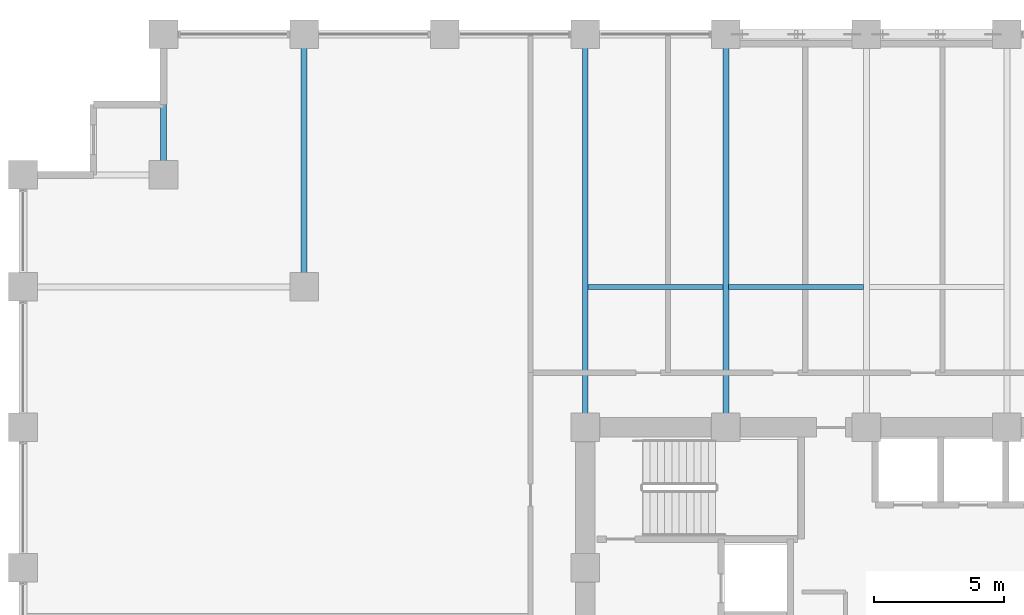
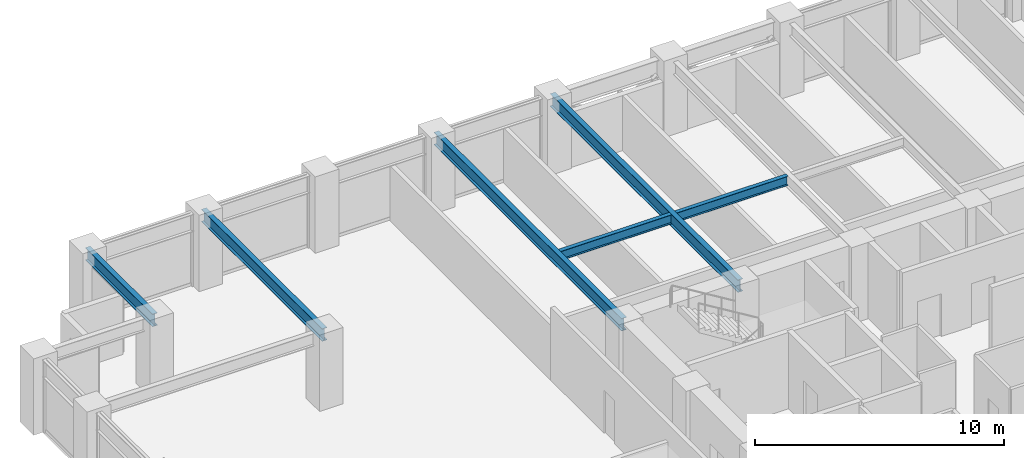
# One storey, part 11 of 25: 6 beams.
"""IFC4 building model written with IfcOpenShell, lengths in metres."""

import ifcopenshell
import ifcopenshell.guid

model = None  # the IFC model being written
_history = None  # IfcOwnerHistory: only IFC2X3 demands one
_inside = {}  # id of a spatial element -> (the spatial element, [elements in it])
_under = {}  # id of a project, library or spatial element -> (it, [spatial elements below it])
_declared = {}  # id of a project -> (the project, [libraries it declares])
_typed = {}  # id of a type object -> (the type object, [elements of that type])
_made_of = {}  # id of a material, layer set ... -> (it, [elements and type objects made of it])


def new_model(schema):
    """Start an empty IFC model of exactly this schema.

    Asked for "IFC4X3", IfcOpenShell would pick the latest addendum, in which some entities
    have other attributes; the version numbers below select the first issue.
    IFC2X3 requires an IfcOwnerHistory on every rooted entity: one is made here for all.
    """
    global model, _history
    if schema == "IFC4X3":
        model = ifcopenshell.file(schema_version=(4, 3, 0, 0))
    else:
        model = ifcopenshell.file(schema=schema)
    _inside.clear()
    _under.clear()
    _declared.clear()
    _typed.clear()
    _made_of.clear()
    _history = None
    if model.schema == "IFC2X3":
        org = make("IfcOrganization", Name="unknown")
        user = make(
            "IfcPersonAndOrganization",
            ThePerson=make("IfcPerson", FamilyName="unknown"),
            TheOrganization=org,
        )
        app = make(
            "IfcApplication",
            ApplicationDeveloper=org,
            Version="unknown",
            ApplicationFullName="unknown",
            ApplicationIdentifier="unknown",
        )
        _history = make(
            "IfcOwnerHistory",
            OwningUser=user,
            OwningApplication=app,
            ChangeAction="ADDED",
            CreationDate=0,
        )
    return model


def make(cls, **values):
    """One entity of the class cls with the attributes given. An attribute that is None is left unset."""
    return model.create_entity(
        cls, **{name: value for name, value in values.items() if value is not None}
    )


def rooted(cls, **values):
    """An entity with a GlobalId (a new one), such as an element, a storey or a relation."""
    return make(cls, GlobalId=ifcopenshell.guid.new(), OwnerHistory=_history, **values)


def si_unit(unit_type, name, prefix=None):
    """IfcSIUnit, for example si_unit("LENGTHUNIT", "METRE", prefix="MILLI")."""
    return make("IfcSIUnit", UnitType=unit_type, Prefix=prefix, Name=name)


def assignment(units):
    """IfcUnitAssignment: the units of a project."""
    return None if units is None else make("IfcUnitAssignment", Units=units)


def point(xyz):
    """IfcCartesianPoint."""
    return None if xyz is None else make("IfcCartesianPoint", Coordinates=xyz)


def direction(xyz):
    """IfcDirection."""
    return None if xyz is None else make("IfcDirection", DirectionRatios=xyz)


def frame(location, z_axis=None, x_axis=None):
    """IfcAxis2Placement3D, a coordinate frame: its origin and axes. An axis left out is left unset."""
    return make(
        "IfcAxis2Placement3D",
        Location=point(location),
        Axis=direction(z_axis),
        RefDirection=direction(x_axis),
    )


def frame_2d(location, x_axis=None):
    """IfcAxis2Placement2D, a coordinate frame in the plane: its origin and x axis."""
    return make(
        "IfcAxis2Placement2D", Location=point(location), RefDirection=direction(x_axis)
    )


def origin():
    """The frame at (0, 0, 0) with its axes left unset."""
    return frame((0.0, 0.0, 0.0))


def origin_2d():
    """The frame at (0, 0) in the plane with its x axis left unset."""
    return frame_2d((0.0, 0.0))


def place(relative_to, where):
    """IfcLocalPlacement: puts the frame where relative to a parent placement (None: the world)."""
    return make(
        "IfcLocalPlacement", PlacementRelTo=relative_to, RelativePlacement=where
    )


def context(
    kind, dimensions, precision=None, world=None, true_north=None, identifier=None
):
    """IfcGeometricRepresentationContext, for example the 3D "Model" context."""
    return make(
        "IfcGeometricRepresentationContext",
        ContextIdentifier=identifier,
        ContextType=kind,
        CoordinateSpaceDimension=dimensions,
        Precision=precision,
        WorldCoordinateSystem=world,
        TrueNorth=true_north,
    )


def subcontext(parent, identifier, kind, view, scale=None):
    """IfcGeometricRepresentationSubContext, for example "Body" below "Model"."""
    return make(
        "IfcGeometricRepresentationSubContext",
        ContextIdentifier=identifier,
        ContextType=kind,
        ParentContext=parent,
        TargetScale=scale,
        TargetView=view,
    )


def project(units=None, contexts=None):
    """IfcProject with its units and contexts."""
    return rooted(
        "IfcProject",
        Name="project",
        RepresentationContexts=contexts,
        UnitsInContext=assignment(units),
    )


def spatial(cls, under=None, at=None, **own):
    """A site, building, storey or space (cls), placed at a placement, below another one or the project."""
    s = rooted(cls, ObjectPlacement=at, **own)
    if under is not None:
        _under.setdefault(under.id(), (under, []))[1].append(s)
    return s


def profile(cls, at=None, kind="AREA", **sizes):
    """A parametric profile (cls). Its sizes go by their IFC names, for example OverallWidth=200.0."""
    return make(cls, ProfileType=kind, Position=at, **sizes)


def i_section(**sizes):
    """IfcIShapeProfileDef."""
    return profile("IfcIShapeProfileDef", **sizes)


def extrude(swept, where, along, depth):
    """IfcExtrudedAreaSolid: the profile swept, set in the frame where, extruded along a direction by depth."""
    return make(
        "IfcExtrudedAreaSolid",
        SweptArea=swept,
        Position=where,
        ExtrudedDirection=direction(along),
        Depth=depth,
    )


def shape(context_of_items, identifier, shape_type, items):
    """IfcShapeRepresentation: the items that make up one representation, for example the "Body"."""
    return make(
        "IfcShapeRepresentation",
        ContextOfItems=context_of_items,
        RepresentationIdentifier=identifier,
        RepresentationType=shape_type,
        Items=items,
    )


def material(Name=None, Category=None):
    """IfcMaterial."""
    return make("IfcMaterial", Name=Name, Category=Category)


def material_profile(
    of_material, cross_section, Name=None, Category=None, Priority=None
):
    """IfcMaterialProfile: a cross section and its material."""
    return make(
        "IfcMaterialProfile",
        Name=Name,
        Material=of_material,
        Profile=cross_section,
        Priority=Priority,
        Category=Category,
    )


def profile_set(profiles, Name=None, composite=None):
    """IfcMaterialProfileSet."""
    return make(
        "IfcMaterialProfileSet",
        Name=Name,
        MaterialProfiles=profiles,
        CompositeProfile=composite,
    )


def made_of(thing, what):
    """Note that an element or type object is made of a material, layer set ...; save() writes the relation."""
    if what is not None:
        _made_of.setdefault(what.id(), (what, []))[1].append(thing)
    return thing


def type_object(cls, material=None, **own):
    """A type object (cls), such as IfcWallType, which elements share."""
    return made_of(rooted(cls, **own), material)


def element(
    cls,
    number,
    at=None,
    inside=None,
    cuts=None,
    type_object=None,
    material=None,
    context=None,
    identifier="Body",
    shape_type=None,
    held_by="IfcProductDefinitionShape",
    body=None,
    shapes=None,
    **own,
):
    """One element of the class cls, such as IfcWall. Its Tag is "e" and its number.

    at: its placement. inside: the storey or other place that contains it. cuts: it is an
    opening in that element (IfcRelVoidsElement). A single representation is given by context,
    identifier, shape_type and body (its items); several are given by shapes. held_by: the class
    of the entity that holds the representations. save() writes the other relations.
    """
    e = rooted(cls, Tag="e%d" % number, ObjectPlacement=at, **own)
    if body is not None:
        shapes = [shape(context, identifier, shape_type, body)]
    if shapes is not None:
        e.Representation = make(held_by, Representations=shapes)
    if inside is not None:
        _inside.setdefault(inside.id(), (inside, []))[1].append(e)
    if cuts is not None:
        rooted(
            "IfcRelVoidsElement", RelatingBuildingElement=cuts, RelatedOpeningElement=e
        )
    if type_object is not None:
        _typed.setdefault(type_object.id(), (type_object, []))[1].append(e)
    return made_of(e, material)


def aggregate(whole, parts):
    """IfcRelAggregates: a whole, such as a stair, and the parts it consists of."""
    return rooted("IfcRelAggregates", RelatingObject=whole, RelatedObjects=parts)


def save(model, path):
    """Write the relations noted so far, then the file.

    IfcRelAggregates (storeys below a building ...), IfcRelContainedInSpatialStructure (elements
    in a storey), IfcRelDefinesByType, IfcRelAssociatesMaterial and IfcRelDeclares: one each for
    every whole, place, type object, material and project.
    """
    for whole, parts in _under.values():
        aggregate(whole, parts)
    for where, things in _inside.values():
        rooted(
            "IfcRelContainedInSpatialStructure",
            RelatedElements=things,
            RelatingStructure=where,
        )
    for kind, things in _typed.values():
        rooted("IfcRelDefinesByType", RelatedObjects=things, RelatingType=kind)
    for what, things in _made_of.values():
        rooted("IfcRelAssociatesMaterial", RelatedObjects=things, RelatingMaterial=what)
    for by, libraries in _declared.values():
        rooted("IfcRelDeclares", RelatingContext=by, RelatedDefinitions=libraries)
    model.write(path)


model = new_model("IFC4")

# Units and contexts
model_context = context("Model", 3, precision=1e-05, world=origin(), true_north=direction((0.0, 1.0)))
body_context = subcontext(model_context, "Body", "Model", "MODEL_VIEW")
ifc_project = project(units=[si_unit("LENGTHUNIT", "METRE"), si_unit("AREAUNIT", "SQUARE_METRE"), si_unit("VOLUMEUNIT", "CUBIC_METRE"), si_unit("PLANEANGLEUNIT", "RADIAN"), si_unit("MASSUNIT", "GRAM", prefix="KILO")], contexts=[model_context])

# Site, building, storey
site_placement = place(None, origin())
site = spatial("IfcSite", under=ifc_project, at=site_placement, CompositionType="ELEMENT")
building_placement = place(site_placement, origin())
building = spatial("IfcBuilding", under=site, at=building_placement, Name="Surkhivell Harbour Commons", CompositionType="ELEMENT")
storey_placement = place(building_placement, frame((0.0, 0.0, 120.75)))
storey = spatial("IfcBuildingStorey", under=building, at=storey_placement, Name="L31", CompositionType="ELEMENT", Elevation=120.75)

# Beams
ifc_material = material(Name="Steel S355", Category="steel")
ifc_material_profile_1 = material_profile(ifc_material, i_section(OverallWidth=0.22998046875, OverallDepth=0.616943359375, WebThickness=0.01318359375, FlangeThickness=0.022216796875, at=origin_2d()), Name="UB610x229x140")
ifc_profile_set_1 = profile_set([ifc_material_profile_1], Name="Steel S355")
beam_type_1 = type_object("IfcBeamType", Name="BM-GRD-610B", PredefinedType="BEAM", material=ifc_profile_set_1)
beam_1_placement = place(storey_placement, frame((-27.0, 20.5, 3.261474609375), z_axis=(0.0, 1.0, 0.0), x_axis=(-1.0, 0.0, 0.0)))
element("IfcBeam", 1, at=beam_1_placement, inside=storey, type_object=beam_type_1, Name="L31 Floor Girder (-27.0,20.5)", PredefinedType="BEAM", context=body_context, shape_type="SweptSolid", body=[
    extrude(i_section(OverallWidth=0.22998046875, OverallDepth=0.616943359375, WebThickness=0.01318359375, FlangeThickness=0.022216796875, at=origin_2d()), origin(), (0.0, 0.0, 1.0), 5.39990234375),
])
beam_2_placement = place(storey_placement, frame((-21.60009765625, 16.199951171875, 3.261474609375), z_axis=(0.0, 1.0, 0.0), x_axis=(-1.0, 0.0, 0.0)))
element("IfcBeam", 2, at=beam_2_placement, inside=storey, type_object=beam_type_1, Name="L31 Floor Girder (-21.6,16.2)", PredefinedType="BEAM", context=body_context, shape_type="SweptSolid", body=[
    extrude(i_section(OverallWidth=0.22998046875, OverallDepth=0.616943359375, WebThickness=0.01318359375, FlangeThickness=0.022216796875, at=origin_2d()), origin(), (0.0, 0.0, 1.0), 9.699951171875),
])
for number, where, z_axis, x_axis, name in (
    (3, (-10.800048828125, 10.800048828125, 3.261474609375), (0.0, 1.0, 0.0), (-1.0, 0.0, 0.0), "L31 Floor Girder (-10.8,10.8)"),
    (4, (-5.39990234375, 10.800048828125, 3.261474609375), (0.0, 1.0, 0.0), (-1.0, 0.0, 0.0), "L31 Floor Girder (-5.4,10.8)"),
):
    element("IfcBeam", number, at=place(storey_placement, frame(where, z_axis=z_axis, x_axis=x_axis)), inside=storey, type_object=beam_type_1, Name=name, PredefinedType="BEAM", context=body_context, shape_type="SweptSolid", body=[
        extrude(i_section(OverallWidth=0.22998046875, OverallDepth=0.616943359375, WebThickness=0.01318359375, FlangeThickness=0.022216796875, at=origin_2d()), origin(), (0.0, 0.0, 1.0), 15.099853515625),
    ])
ifc_material_profile_2 = material_profile(ifc_material, i_section(OverallWidth=0.18994140625, OverallDepth=0.45703125, WebThickness=0.009033203125, FlangeThickness=0.014404296875, at=origin_2d()), Name="UB457x191x74")
ifc_profile_set_2 = profile_set([ifc_material_profile_2], Name="Steel S355")
beam_type_2 = type_object("IfcBeamType", Name="BM-JST-457B", PredefinedType="JOIST", material=ifc_profile_set_2)
for number, where, z_axis, x_axis, name in (
    (5, (-10.68701171875, 16.199951171875, 3.341552734375), (1.0, 0.0, 0.0), (0.0, 1.0, 0.0), "L31 North Composite Joist (-10.8)"),
    (6, (-5.287109375, 16.199951171875, 3.341552734375), (1.0, 0.0, 0.0), (0.0, 1.0, 0.0), "L31 North Composite Joist (-5.4)"),
):
    element("IfcBeam", number, at=place(storey_placement, frame(where, z_axis=z_axis, x_axis=x_axis)), inside=storey, type_object=beam_type_2, Name=name, PredefinedType="JOIST", context=body_context, shape_type="SweptSolid", body=[
        extrude(i_section(OverallWidth=0.18994140625, OverallDepth=0.45703125, WebThickness=0.009033203125, FlangeThickness=0.014404296875, at=origin_2d()), origin(), (0.0, 0.0, 1.0), 5.174072265625),
    ])

save(model, "model.ifc")
